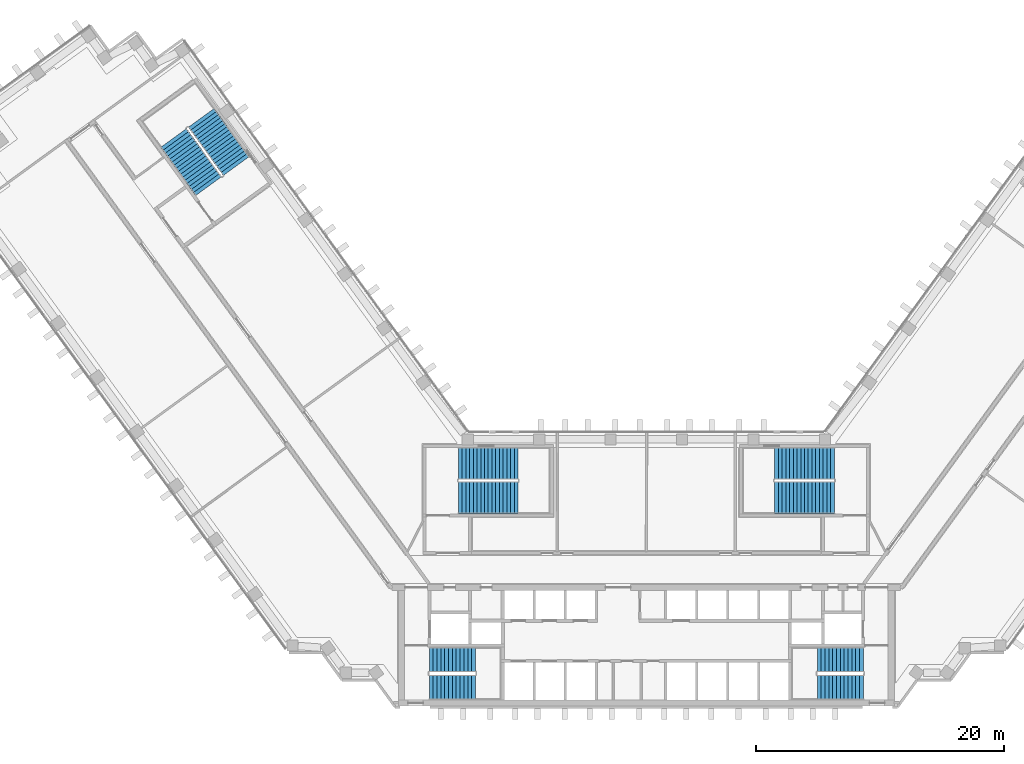
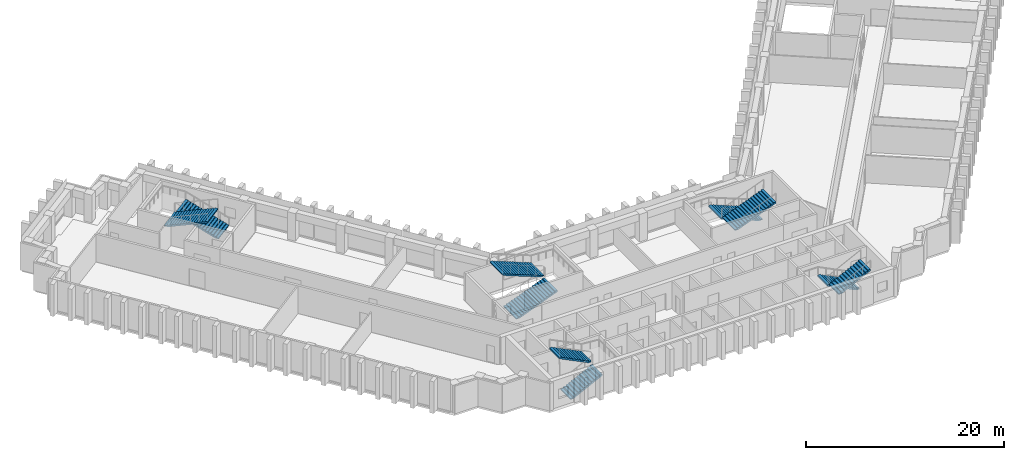
# One storey, part 9 of 12: 10 stair flights, 5 elements without a shape of their own.
"""IFC4 building model written with IfcOpenShell, lengths in metres."""

from ifc_helpers import new_model, si_unit, direction, frame, origin, place, context, subcontext, project, spatial, polyline, outline, extrude, material, type_object, element, aggregate, save


model = new_model("IFC4")

# Units and contexts
model_context = context("Model", 3, precision=1e-05, world=origin(), true_north=direction((0.0, 1.0)))
body_context = subcontext(model_context, "Body", "Model", "MODEL_VIEW")
ifc_project = project(units=[si_unit("LENGTHUNIT", "METRE"), si_unit("AREAUNIT", "SQUARE_METRE"), si_unit("VOLUMEUNIT", "CUBIC_METRE"), si_unit("PLANEANGLEUNIT", "RADIAN"), si_unit("MASSUNIT", "GRAM", prefix="KILO")], contexts=[model_context])

# Site, building, storey
site_placement = place(None, origin())
site = spatial("IfcSite", under=ifc_project, at=site_placement, CompositionType="ELEMENT")
building_placement = place(site_placement, origin())
building = spatial("IfcBuilding", under=site, at=building_placement, Name="Quipu Civic Tower", CompositionType="ELEMENT")
storey_placement = place(building_placement, frame((0.0, 0.0, 75.0)))
storey = spatial("IfcBuildingStorey", under=building, at=storey_placement, Name="L17", CompositionType="ELEMENT", Elevation=75.0)

# Stair, stair flights
ifc_material_1 = material(Name="Concrete C40/50", Category="concrete")
stair_type_1 = type_object("IfcStairType", Name="Half turn stair 2000", PredefinedType="HALF_TURN_STAIR", material=ifc_material_1)
stair_1_placement = place(storey_placement, origin())
stair_1 = element("IfcStair", 1, at=stair_1_placement, inside=storey, type_object=stair_type_1, Name="Exit stair 1", PredefinedType="HALF_TURN_STAIR")
ifc_material_2 = material(Name="Concrete C40/50", Category="concrete")
stair_flight_type_1 = type_object("IfcStairFlightType", Name="Stair flight 2000", PredefinedType="STRAIGHT", material=ifc_material_2)
stair_flight_1_placement = place(storey_placement, frame((-17.5, -9.5, 0.0), z_axis=(0.0, 0.0, 1.0), x_axis=(1.0, 0.0, 0.0)))
stair_flight_1 = element("IfcStairFlight", 2, at=stair_flight_1_placement, type_object=stair_flight_type_1, Name="ST-1 flight 1", NumberOfRisers=13, NumberOfTreads=12, PredefinedType="STRAIGHT", RiserHeight=0.153846154, TreadLength=0.31, context=body_context, shape_type="SweptSolid", body=[
    extrude(outline(polyline([(0.0, 0.0), (0.0, 0.15380859375), (0.31005859375, 0.15380859375), (0.31005859375, 0.3076171875), (0.6201171875, 0.3076171875), (0.6201171875, 0.46142578125), (0.929931640625, 0.46142578125), (0.929931640625, 0.615478515625), (1.239990234375, 0.615478515625), (1.239990234375, 0.769287109375), (1.550048828125, 0.769287109375), (1.550048828125, 0.923095703125), (1.860107421875, 0.923095703125), (1.860107421875, 1.076904296875), (2.169921875, 1.076904296875), (2.169921875, 1.230712890625), (2.47998046875, 1.230712890625), (2.47998046875, 1.384521484375), (2.7900390625, 1.384521484375), (2.7900390625, 1.53857421875), (3.10009765625, 1.53857421875), (3.10009765625, 1.6923828125), (3.409912109375, 1.6923828125), (3.409912109375, 1.84619140625), (3.719970703125, 1.84619140625), (3.719970703125, 2.0), (3.719970703125, 1.6787109375), (0.337158203125, 0.0), (0.0, 0.0)])), frame((0.0, 1.0, 0.0), z_axis=(0.0, -1.0, 0.0), x_axis=(1.0, 0.0, 0.0)), (0.0, 0.0, 1.0), 2.0),
])
stair_flight_2_placement = place(storey_placement, frame((-13.780029296875, -7.25, 2.0), z_axis=(0.0, 0.0, 1.0), x_axis=(-1.0, 0.0, 0.0)))
stair_flight_2 = element("IfcStairFlight", 3, at=stair_flight_2_placement, type_object=stair_flight_type_1, Name="ST-1 flight 2", NumberOfRisers=13, NumberOfTreads=12, PredefinedType="STRAIGHT", RiserHeight=0.153846154, TreadLength=0.31, context=body_context, shape_type="SweptSolid", body=[
    extrude(outline(polyline([(0.0, 0.0), (0.0, 0.15380859375), (0.31005859375, 0.15380859375), (0.31005859375, 0.3076171875), (0.6201171875, 0.3076171875), (0.6201171875, 0.46142578125), (0.929931640625, 0.46142578125), (0.929931640625, 0.615478515625), (1.239990234375, 0.615478515625), (1.239990234375, 0.769287109375), (1.550048828125, 0.769287109375), (1.550048828125, 0.923095703125), (1.860107421875, 0.923095703125), (1.860107421875, 1.076904296875), (2.169921875, 1.076904296875), (2.169921875, 1.230712890625), (2.47998046875, 1.230712890625), (2.47998046875, 1.384521484375), (2.7900390625, 1.384521484375), (2.7900390625, 1.53857421875), (3.10009765625, 1.53857421875), (3.10009765625, 1.6923828125), (3.409912109375, 1.6923828125), (3.409912109375, 1.84619140625), (3.719970703125, 1.84619140625), (3.719970703125, 2.0), (3.719970703125, 1.6787109375), (0.337158203125, 0.0), (0.0, 0.0)])), frame((0.0, 1.0, 0.0), z_axis=(0.0, -1.0, 0.0), x_axis=(1.0, 0.0, 0.0)), (0.0, 0.0, 1.0), 2.0),
])
aggregate(stair_1, [stair_flight_1, stair_flight_2])

stair_2_placement = place(storey_placement, origin())
stair_2 = element("IfcStair", 4, at=stair_2_placement, inside=storey, type_object=stair_type_1, Name="Exit stair 2", PredefinedType="HALF_TURN_STAIR")
stair_flight_3_placement = place(storey_placement, frame((17.5, -7.25, 0.0), z_axis=(0.0, 0.0, 1.0), x_axis=(-1.0, 0.0, 0.0)))
stair_flight_3 = element("IfcStairFlight", 5, at=stair_flight_3_placement, type_object=stair_flight_type_1, Name="ST-2 flight 1", NumberOfRisers=13, NumberOfTreads=12, PredefinedType="STRAIGHT", RiserHeight=0.153846154, TreadLength=0.31, context=body_context, shape_type="SweptSolid", body=[
    extrude(outline(polyline([(0.0, 0.0), (0.0, 0.15380859375), (0.31005859375, 0.15380859375), (0.31005859375, 0.3076171875), (0.6201171875, 0.3076171875), (0.6201171875, 0.46142578125), (0.929931640625, 0.46142578125), (0.929931640625, 0.615478515625), (1.239990234375, 0.615478515625), (1.239990234375, 0.769287109375), (1.550048828125, 0.769287109375), (1.550048828125, 0.923095703125), (1.860107421875, 0.923095703125), (1.860107421875, 1.076904296875), (2.169921875, 1.076904296875), (2.169921875, 1.230712890625), (2.47998046875, 1.230712890625), (2.47998046875, 1.384521484375), (2.7900390625, 1.384521484375), (2.7900390625, 1.53857421875), (3.10009765625, 1.53857421875), (3.10009765625, 1.6923828125), (3.409912109375, 1.6923828125), (3.409912109375, 1.84619140625), (3.719970703125, 1.84619140625), (3.719970703125, 2.0), (3.719970703125, 1.6787109375), (0.337158203125, 0.0), (0.0, 0.0)])), frame((0.0, 1.0, 0.0), z_axis=(0.0, -1.0, 0.0), x_axis=(1.0, 0.0, 0.0)), (0.0, 0.0, 1.0), 2.0),
])
stair_flight_4_placement = place(storey_placement, frame((13.780029296875, -9.5, 2.0), z_axis=(0.0, 0.0, 1.0), x_axis=(1.0, 0.0, 0.0)))
stair_flight_4 = element("IfcStairFlight", 6, at=stair_flight_4_placement, type_object=stair_flight_type_1, Name="ST-2 flight 2", NumberOfRisers=13, NumberOfTreads=12, PredefinedType="STRAIGHT", RiserHeight=0.153846154, TreadLength=0.31, context=body_context, shape_type="SweptSolid", body=[
    extrude(outline(polyline([(0.0, 0.0), (0.0, 0.15380859375), (0.31005859375, 0.15380859375), (0.31005859375, 0.3076171875), (0.6201171875, 0.3076171875), (0.6201171875, 0.46142578125), (0.929931640625, 0.46142578125), (0.929931640625, 0.615478515625), (1.239990234375, 0.615478515625), (1.239990234375, 0.769287109375), (1.550048828125, 0.769287109375), (1.550048828125, 0.923095703125), (1.860107421875, 0.923095703125), (1.860107421875, 1.076904296875), (2.169921875, 1.076904296875), (2.169921875, 1.230712890625), (2.47998046875, 1.230712890625), (2.47998046875, 1.384521484375), (2.7900390625, 1.384521484375), (2.7900390625, 1.53857421875), (3.10009765625, 1.53857421875), (3.10009765625, 1.6923828125), (3.409912109375, 1.6923828125), (3.409912109375, 1.84619140625), (3.719970703125, 1.84619140625), (3.719970703125, 2.0), (3.719970703125, 1.6787109375), (0.337158203125, 0.0), (0.0, 0.0)])), frame((0.0, 1.0, 0.0), z_axis=(0.0, -1.0, 0.0), x_axis=(1.0, 0.0, 0.0)), (0.0, 0.0, 1.0), 2.0),
])
aggregate(stair_2, [stair_flight_3, stair_flight_4])

ifc_material_3 = material(Name="Concrete C40/50", Category="concrete")
stair_type_2 = type_object("IfcStairType", Name="Half turn stair 2600", PredefinedType="HALF_TURN_STAIR", material=ifc_material_3)
stair_3_placement = place(storey_placement, origin())
stair_3 = element("IfcStair", 7, at=stair_3_placement, inside=storey, type_object=stair_type_2, Name="Exit stair 3", PredefinedType="HALF_TURN_STAIR")
ifc_material_4 = material(Name="Concrete C40/50", Category="concrete")
stair_flight_type_2 = type_object("IfcStairFlightType", Name="Stair flight 2600", PredefinedType="STRAIGHT", material=ifc_material_4)
stair_flight_5_placement = place(storey_placement, frame((-15.14990234375, 5.800048828125, 0.0), z_axis=(0.0, 0.0, 1.0), x_axis=(1.0, 0.0, 0.0)))
stair_flight_5 = element("IfcStairFlight", 8, at=stair_flight_5_placement, type_object=stair_flight_type_2, Name="ST-3 flight 1", NumberOfRisers=17, NumberOfTreads=16, PredefinedType="STRAIGHT", RiserHeight=0.117647059, TreadLength=0.3, context=body_context, shape_type="SweptSolid", body=[
    extrude(outline(polyline([(0.0, 0.0), (0.0, 0.11767578125), (0.300048828125, 0.11767578125), (0.300048828125, 0.2353515625), (0.60009765625, 0.2353515625), (0.60009765625, 0.35302734375), (0.89990234375, 0.35302734375), (0.89990234375, 0.470703125), (1.199951171875, 0.470703125), (1.199951171875, 0.588134765625), (1.5, 0.588134765625), (1.5, 0.705810546875), (1.800048828125, 0.705810546875), (1.800048828125, 0.823486328125), (2.10009765625, 0.823486328125), (2.10009765625, 0.941162109375), (2.39990234375, 0.941162109375), (2.39990234375, 1.058837890625), (2.699951171875, 1.058837890625), (2.699951171875, 1.176513671875), (3.0, 1.176513671875), (3.0, 1.294189453125), (3.300048828125, 1.294189453125), (3.300048828125, 1.411865234375), (3.60009765625, 1.411865234375), (3.60009765625, 1.529296875), (3.89990234375, 1.529296875), (3.89990234375, 1.64697265625), (4.199951171875, 1.64697265625), (4.199951171875, 1.7646484375), (4.5, 1.7646484375), (4.5, 1.88232421875), (4.800048828125, 1.88232421875), (4.800048828125, 2.0), (4.800048828125, 1.721435546875), (0.41064453125, 0.0), (0.0, 0.0)])), frame((0.0, 1.300048828125, 0.0), z_axis=(0.0, -1.0, 0.0), x_axis=(1.0, 0.0, 0.0)), (0.0, 0.0, 1.0), 2.60009765625),
])
stair_flight_6_placement = place(storey_placement, frame((-10.35009765625, 8.550048828125, 2.0), z_axis=(0.0, 0.0, 1.0), x_axis=(-1.0, 0.0, 0.0)))
stair_flight_6 = element("IfcStairFlight", 9, at=stair_flight_6_placement, type_object=stair_flight_type_2, Name="ST-3 flight 2", NumberOfRisers=17, NumberOfTreads=16, PredefinedType="STRAIGHT", RiserHeight=0.117647059, TreadLength=0.3, context=body_context, shape_type="SweptSolid", body=[
    extrude(outline(polyline([(0.0, 0.0), (0.0, 0.11767578125), (0.300048828125, 0.11767578125), (0.300048828125, 0.2353515625), (0.60009765625, 0.2353515625), (0.60009765625, 0.35302734375), (0.89990234375, 0.35302734375), (0.89990234375, 0.470703125), (1.199951171875, 0.470703125), (1.199951171875, 0.588134765625), (1.5, 0.588134765625), (1.5, 0.705810546875), (1.800048828125, 0.705810546875), (1.800048828125, 0.823486328125), (2.10009765625, 0.823486328125), (2.10009765625, 0.941162109375), (2.39990234375, 0.941162109375), (2.39990234375, 1.058837890625), (2.699951171875, 1.058837890625), (2.699951171875, 1.176513671875), (3.0, 1.176513671875), (3.0, 1.294189453125), (3.300048828125, 1.294189453125), (3.300048828125, 1.411865234375), (3.60009765625, 1.411865234375), (3.60009765625, 1.529296875), (3.89990234375, 1.529296875), (3.89990234375, 1.64697265625), (4.199951171875, 1.64697265625), (4.199951171875, 1.7646484375), (4.5, 1.7646484375), (4.5, 1.88232421875), (4.800048828125, 1.88232421875), (4.800048828125, 2.0), (4.800048828125, 1.721435546875), (0.41064453125, 0.0), (0.0, 0.0)])), frame((0.0, 1.300048828125, 0.0), z_axis=(0.0, -1.0, 0.0), x_axis=(1.0, 0.0, 0.0)), (0.0, 0.0, 1.0), 2.60009765625),
])
aggregate(stair_3, [stair_flight_5, stair_flight_6])

stair_4_placement = place(storey_placement, origin())
stair_4 = element("IfcStair", 10, at=stair_4_placement, inside=storey, type_object=stair_type_2, Name="Exit stair 4", PredefinedType="HALF_TURN_STAIR")
stair_flight_7_placement = place(storey_placement, frame((15.14990234375, 8.550048828125, 0.0), z_axis=(0.0, 0.0, 1.0), x_axis=(-1.0, 0.0, 0.0)))
stair_flight_7 = element("IfcStairFlight", 11, at=stair_flight_7_placement, type_object=stair_flight_type_2, Name="ST-4 flight 1", NumberOfRisers=17, NumberOfTreads=16, PredefinedType="STRAIGHT", RiserHeight=0.117647059, TreadLength=0.3, context=body_context, shape_type="SweptSolid", body=[
    extrude(outline(polyline([(0.0, 0.0), (0.0, 0.11767578125), (0.300048828125, 0.11767578125), (0.300048828125, 0.2353515625), (0.60009765625, 0.2353515625), (0.60009765625, 0.35302734375), (0.89990234375, 0.35302734375), (0.89990234375, 0.470703125), (1.199951171875, 0.470703125), (1.199951171875, 0.588134765625), (1.5, 0.588134765625), (1.5, 0.705810546875), (1.800048828125, 0.705810546875), (1.800048828125, 0.823486328125), (2.10009765625, 0.823486328125), (2.10009765625, 0.941162109375), (2.39990234375, 0.941162109375), (2.39990234375, 1.058837890625), (2.699951171875, 1.058837890625), (2.699951171875, 1.176513671875), (3.0, 1.176513671875), (3.0, 1.294189453125), (3.300048828125, 1.294189453125), (3.300048828125, 1.411865234375), (3.60009765625, 1.411865234375), (3.60009765625, 1.529296875), (3.89990234375, 1.529296875), (3.89990234375, 1.64697265625), (4.199951171875, 1.64697265625), (4.199951171875, 1.7646484375), (4.5, 1.7646484375), (4.5, 1.88232421875), (4.800048828125, 1.88232421875), (4.800048828125, 2.0), (4.800048828125, 1.721435546875), (0.41064453125, 0.0), (0.0, 0.0)])), frame((0.0, 1.300048828125, 0.0), z_axis=(0.0, -1.0, 0.0), x_axis=(1.0, 0.0, 0.0)), (0.0, 0.0, 1.0), 2.60009765625),
])
stair_flight_8_placement = place(storey_placement, frame((10.35009765625, 5.800048828125, 2.0), z_axis=(0.0, 0.0, 1.0), x_axis=(1.0, 0.0, 0.0)))
stair_flight_8 = element("IfcStairFlight", 12, at=stair_flight_8_placement, type_object=stair_flight_type_2, Name="ST-4 flight 2", NumberOfRisers=17, NumberOfTreads=16, PredefinedType="STRAIGHT", RiserHeight=0.117647059, TreadLength=0.3, context=body_context, shape_type="SweptSolid", body=[
    extrude(outline(polyline([(0.0, 0.0), (0.0, 0.11767578125), (0.300048828125, 0.11767578125), (0.300048828125, 0.2353515625), (0.60009765625, 0.2353515625), (0.60009765625, 0.35302734375), (0.89990234375, 0.35302734375), (0.89990234375, 0.470703125), (1.199951171875, 0.470703125), (1.199951171875, 0.588134765625), (1.5, 0.588134765625), (1.5, 0.705810546875), (1.800048828125, 0.705810546875), (1.800048828125, 0.823486328125), (2.10009765625, 0.823486328125), (2.10009765625, 0.941162109375), (2.39990234375, 0.941162109375), (2.39990234375, 1.058837890625), (2.699951171875, 1.058837890625), (2.699951171875, 1.176513671875), (3.0, 1.176513671875), (3.0, 1.294189453125), (3.300048828125, 1.294189453125), (3.300048828125, 1.411865234375), (3.60009765625, 1.411865234375), (3.60009765625, 1.529296875), (3.89990234375, 1.529296875), (3.89990234375, 1.64697265625), (4.199951171875, 1.64697265625), (4.199951171875, 1.7646484375), (4.5, 1.7646484375), (4.5, 1.88232421875), (4.800048828125, 1.88232421875), (4.800048828125, 2.0), (4.800048828125, 1.721435546875), (0.41064453125, 0.0), (0.0, 0.0)])), frame((0.0, 1.300048828125, 0.0), z_axis=(0.0, -1.0, 0.0), x_axis=(1.0, 0.0, 0.0)), (0.0, 0.0, 1.0), 2.60009765625),
])
aggregate(stair_4, [stair_flight_7, stair_flight_8])

stair_5_placement = place(storey_placement, origin())
stair_5 = element("IfcStair", 13, at=stair_5_placement, inside=storey, type_object=stair_type_2, Name="Exit stair 6", PredefinedType="HALF_TURN_STAIR")
stair_flight_9_placement = place(storey_placement, frame((-33.067626953125, 32.5322265625, 0.0), z_axis=(0.0, 0.0, 1.0), x_axis=(-0.587785252292, 0.809016994375, 0.0)))
stair_flight_9 = element("IfcStairFlight", 14, at=stair_flight_9_placement, type_object=stair_flight_type_2, Name="ST-6 flight 1", NumberOfRisers=17, NumberOfTreads=16, PredefinedType="STRAIGHT", RiserHeight=0.117647059, TreadLength=0.3, context=body_context, shape_type="SweptSolid", body=[
    extrude(outline(polyline([(0.0, 0.0), (0.0, 0.11767578125), (0.300048828125, 0.11767578125), (0.300048828125, 0.2353515625), (0.60009765625, 0.2353515625), (0.60009765625, 0.35302734375), (0.89990234375, 0.35302734375), (0.89990234375, 0.470703125), (1.199951171875, 0.470703125), (1.199951171875, 0.588134765625), (1.5, 0.588134765625), (1.5, 0.705810546875), (1.800048828125, 0.705810546875), (1.800048828125, 0.823486328125), (2.10009765625, 0.823486328125), (2.10009765625, 0.941162109375), (2.39990234375, 0.941162109375), (2.39990234375, 1.058837890625), (2.699951171875, 1.058837890625), (2.699951171875, 1.176513671875), (3.0, 1.176513671875), (3.0, 1.294189453125), (3.300048828125, 1.294189453125), (3.300048828125, 1.411865234375), (3.60009765625, 1.411865234375), (3.60009765625, 1.529296875), (3.89990234375, 1.529296875), (3.89990234375, 1.64697265625), (4.199951171875, 1.64697265625), (4.199951171875, 1.7646484375), (4.5, 1.7646484375), (4.5, 1.88232421875), (4.800048828125, 1.88232421875), (4.800048828125, 2.0), (4.800048828125, 1.721435546875), (0.41064453125, 0.0), (0.0, 0.0)])), frame((0.0, 1.300048828125, 0.0), z_axis=(0.0, -1.0, 0.0), x_axis=(1.0, 0.0, 0.0)), (0.0, 0.0, 1.0), 2.60009765625),
])
stair_flight_10_placement = place(storey_placement, frame((-38.11376953125, 34.799072265625, 2.0), z_axis=(0.0, 0.0, 1.0), x_axis=(0.587785252292, -0.809016994375, 0.0)))
stair_flight_10 = element("IfcStairFlight", 15, at=stair_flight_10_placement, type_object=stair_flight_type_2, Name="ST-6 flight 2", NumberOfRisers=17, NumberOfTreads=16, PredefinedType="STRAIGHT", RiserHeight=0.117647059, TreadLength=0.3, context=body_context, shape_type="SweptSolid", body=[
    extrude(outline(polyline([(0.0, 0.0), (0.0, 0.11767578125), (0.300048828125, 0.11767578125), (0.300048828125, 0.2353515625), (0.60009765625, 0.2353515625), (0.60009765625, 0.35302734375), (0.89990234375, 0.35302734375), (0.89990234375, 0.470703125), (1.199951171875, 0.470703125), (1.199951171875, 0.588134765625), (1.5, 0.588134765625), (1.5, 0.705810546875), (1.800048828125, 0.705810546875), (1.800048828125, 0.823486328125), (2.10009765625, 0.823486328125), (2.10009765625, 0.941162109375), (2.39990234375, 0.941162109375), (2.39990234375, 1.058837890625), (2.699951171875, 1.058837890625), (2.699951171875, 1.176513671875), (3.0, 1.176513671875), (3.0, 1.294189453125), (3.300048828125, 1.294189453125), (3.300048828125, 1.411865234375), (3.60009765625, 1.411865234375), (3.60009765625, 1.529296875), (3.89990234375, 1.529296875), (3.89990234375, 1.64697265625), (4.199951171875, 1.64697265625), (4.199951171875, 1.7646484375), (4.5, 1.7646484375), (4.5, 1.88232421875), (4.800048828125, 1.88232421875), (4.800048828125, 2.0), (4.800048828125, 1.721435546875), (0.41064453125, 0.0), (0.0, 0.0)])), frame((0.0, 1.300048828125, 0.0), z_axis=(0.0, -1.0, 0.0), x_axis=(1.0, 0.0, 0.0)), (0.0, 0.0, 1.0), 2.60009765625),
])
aggregate(stair_5, [stair_flight_9, stair_flight_10])

save(model, "model.ifc")
